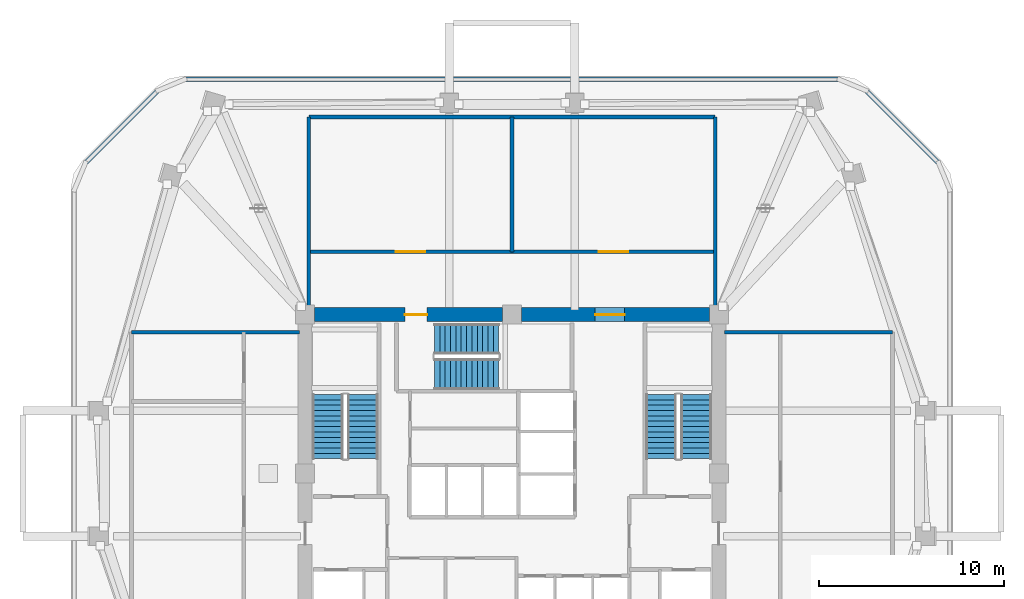
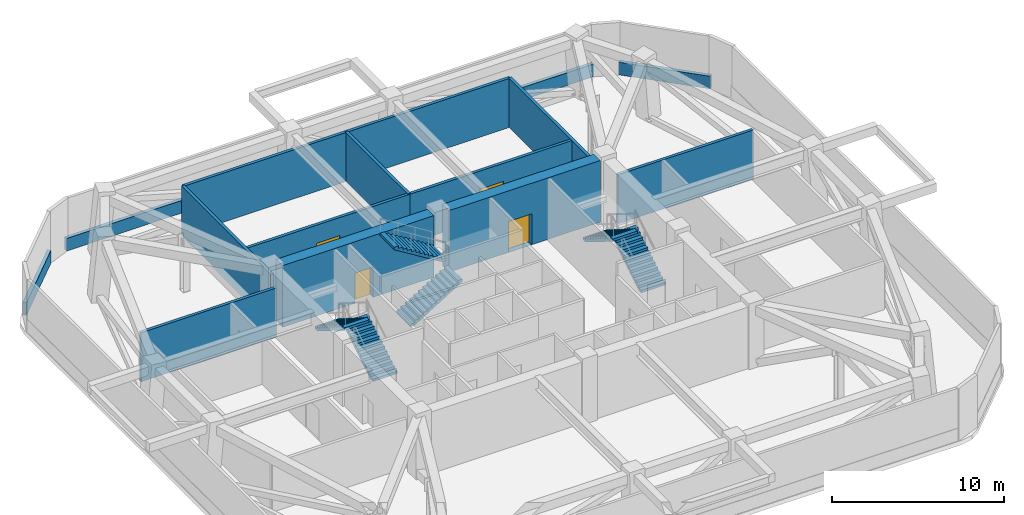
# One storey, part 5 of 8: 13 walls, 6 stair flights, 4 doors, 4 openings, 3 elements without a shape of their own.
"""IFC4 building model written with IfcOpenShell, lengths in metres."""

from ifc_helpers import new_model, si_unit, derived_unit, direction, frame, frame_2d, origin, place, context, subcontext, project, spatial, polyline, rectangle, outline, extrude, material, layer, layer_set, type_object, element, fill, aggregate, save


model = new_model("IFC4")

# Units and contexts
model_context = context("Model", 3, precision=1e-05, world=origin(), true_north=direction((0.0, 1.0)))
body_context = subcontext(model_context, "Body", "Model", "MODEL_VIEW")
ifc_project = project(units=[si_unit("LENGTHUNIT", "METRE"), si_unit("AREAUNIT", "SQUARE_METRE"), si_unit("VOLUMEUNIT", "CUBIC_METRE"), si_unit("PLANEANGLEUNIT", "RADIAN"), si_unit("MASSUNIT", "GRAM", prefix="KILO"), derived_unit("THERMALTRANSMITTANCEUNIT", [(si_unit("POWERUNIT", "WATT"), 1), (si_unit("LENGTHUNIT", "METRE"), -2), (si_unit("THERMODYNAMICTEMPERATUREUNIT", "KELVIN"), -1)])], contexts=[model_context])

# Site, building, storey
site_placement = place(None, origin())
site = spatial("IfcSite", under=ifc_project, at=site_placement, CompositionType="ELEMENT")
building_placement = place(site_placement, origin())
building = spatial("IfcBuilding", under=site, at=building_placement, Name="Koralith Skygarden Medical Center", CompositionType="ELEMENT")
storey_placement = place(building_placement, frame((0.0, 0.0, 124.3798828125)))
storey = spatial("IfcBuildingStorey", under=building, at=storey_placement, Name="L32", CompositionType="ELEMENT", Elevation=124.3798828125)

# Walls
ifc_material_1 = material(Name="Gypsum Board Partition")
ifc_layer_1 = layer(ifc_material_1, 0.199951171875)
ifc_layer_set_1 = layer_set([ifc_layer_1], Name="Gypsum Board Partition")
wall_type_1 = type_object("IfcWallType", Name="Fire Shaft Wall 200", PredefinedType="SOLIDWALL", material=ifc_layer_set_1)
for number, where, z_axis, x_axis, name in (
    (1, (26.0, 34.800048828125, 0.0), (0.0, 0.0, 1.0), (0.0, 1.0, 0.0), "L32 Fire Shaft Wall 200 W-PL-L32-NC-W"),
    (2, (48.0, 34.800048828125, 0.0), (0.0, 0.0, 1.0), (0.0, 1.0, 0.0), "L32 Fire Shaft Wall 200 W-PL-L32-NC-E"),
):
    element("IfcWall", number, at=place(storey_placement, frame(where, z_axis=z_axis, x_axis=x_axis)), inside=storey, type_object=wall_type_1, Name=name, PredefinedType="SOLIDWALL", context=body_context, shape_type="SweptSolid", body=[
        extrude(rectangle(XDim=10.39990234375, YDim=0.199951171875, at=frame_2d((5.199951171875, 0.0))), origin(), (0.0, 0.0, 1.0), 3.490234375),
    ])
wall_1_placement = place(storey_placement, frame((26.0, 45.199951171875, 0.0), z_axis=(0.0, 0.0, 1.0), x_axis=(1.0, 0.0, 0.0)))
element("IfcWall", 3, at=wall_1_placement, inside=storey, type_object=wall_type_1, Name="L32 Fire Shaft Wall 200 W-PL-L32-NP-N", PredefinedType="SOLIDWALL", context=body_context, shape_type="SweptSolid", body=[
    extrude(rectangle(XDim=22.0, YDim=0.199951171875, at=frame_2d((11.0, 0.0))), origin(), (0.0, 0.0, 1.0), 3.490234375),
])
wall_2_placement = place(storey_placement, frame((37.0, 37.89990234375, 0.0), z_axis=(0.0, 0.0, 1.0), x_axis=(0.0, 1.0, 0.0)))
element("IfcWall", 4, at=wall_2_placement, inside=storey, type_object=wall_type_1, Name="L32 Fire Shaft Wall 200 W-PL-L32-NP-M", PredefinedType="SOLIDWALL", context=body_context, shape_type="SweptSolid", body=[
    extrude(rectangle(XDim=7.300048828125, YDim=0.199951171875, at=frame_2d((3.64990234375, 0.0))), origin(), (0.0, 0.0, 1.0), 3.490234375),
])

# Wall, opening, door
wall_3_placement = place(storey_placement, frame((26.0, 37.89990234375, 0.0), z_axis=(0.0, 0.0, 1.0), x_axis=(1.0, 0.0, 0.0)))
wall_3 = element("IfcWall", 5, at=wall_3_placement, inside=storey, type_object=wall_type_1, Name="L32 Fire Shaft Wall 200 W-PL-L32-NC-N1", PredefinedType="SOLIDWALL", context=body_context, shape_type="SweptSolid", body=[
    extrude(rectangle(XDim=11.0, YDim=0.199951171875, at=frame_2d((5.5, 0.0))), origin(), (0.0, 0.0, 1.0), 3.490234375),
])
opening_1_placement = place(wall_3_placement, frame((4.699951171875, 0.0, 0.0)))
opening_1 = element("IfcOpeningElement", 6, at=opening_1_placement, cuts=wall_3, Name="Opening D-DBL", PredefinedType="OPENING", context=body_context, shape_type="SweptSolid", body=[
    extrude(rectangle(XDim=1.60009765625, YDim=2.199951171875, at=frame_2d((0.800048828125, 1.10009765625))), frame((0.0, 0.10986328125, 0.0), z_axis=(0.0, -1.0, 0.0), x_axis=(1.0, 0.0, 0.0)), (0.0, 0.0, 1.0), 0.219970703125),
])
ifc_material_2 = material(Name="Aluminium 6063-T6", Category="aluminium")
door_type_1 = type_object("IfcDoorType", Name="Double Clinical Suite Door D-DBL 1600", OperationType="NOTDEFINED", PredefinedType="DOOR", material=ifc_material_2)
door_1_placement = place(opening_1_placement, origin())
door_1 = element("IfcDoor", 7, at=door_1_placement, inside=storey, type_object=door_type_1, Name="L32 Central Chiller and Heat Rejection Plant Room Fire Door", OperationType="DOUBLE_DOOR_SINGLE_SWING", OverallHeight=2.199951171875, OverallWidth=1.60009765625, PredefinedType="DOOR", context=body_context, shape_type="SweptSolid", body=[
    extrude(rectangle(XDim=1.60009765625, YDim=2.199951171875, at=frame_2d((0.800048828125, 1.10009765625))), frame((0.0, 0.02490234375, 0.0), z_axis=(0.0, -1.0, 0.0), x_axis=(1.0, 0.0, 0.0)), (0.0, 0.0, 1.0), 0.050048828125),
])
fill(opening_1, door_1)

wall_4_placement = place(storey_placement, frame((37.0, 37.89990234375, 0.0), z_axis=(0.0, 0.0, 1.0), x_axis=(1.0, 0.0, 0.0)))
wall_4 = element("IfcWall", 8, at=wall_4_placement, inside=storey, type_object=wall_type_1, Name="L32 Fire Shaft Wall 200 W-PL-L32-NC-N2", PredefinedType="SOLIDWALL", context=body_context, shape_type="SweptSolid", body=[
    extrude(rectangle(XDim=11.0, YDim=0.199951171875, at=frame_2d((5.5, 0.0))), origin(), (0.0, 0.0, 1.0), 3.490234375),
])
opening_2_placement = place(wall_4_placement, frame((4.699951171875, 0.0, 0.0)))
opening_2 = element("IfcOpeningElement", 9, at=opening_2_placement, cuts=wall_4, Name="Opening D-DBL", PredefinedType="OPENING", context=body_context, shape_type="SweptSolid", body=[
    extrude(rectangle(XDim=1.60009765625, YDim=2.199951171875, at=frame_2d((0.800048828125, 1.10009765625))), frame((0.0, 0.10986328125, 0.0), z_axis=(0.0, -1.0, 0.0), x_axis=(1.0, 0.0, 0.0)), (0.0, 0.0, 1.0), 0.219970703125),
])
door_2_placement = place(opening_2_placement, origin())
door_2 = element("IfcDoor", 10, at=door_2_placement, inside=storey, type_object=door_type_1, Name="L32 Clinical AHU and Essential Switchgear Plant Room Fire Door", OperationType="DOUBLE_DOOR_SINGLE_SWING", OverallHeight=2.199951171875, OverallWidth=1.60009765625, PredefinedType="DOOR", context=body_context, shape_type="SweptSolid", body=[
    extrude(rectangle(XDim=1.60009765625, YDim=2.199951171875, at=frame_2d((0.800048828125, 1.10009765625))), frame((0.0, 0.02490234375, 0.0), z_axis=(0.0, -1.0, 0.0), x_axis=(1.0, 0.0, 0.0)), (0.0, 0.0, 1.0), 0.050048828125),
])
fill(opening_2, door_2)

# Walls
for number, where, z_axis, x_axis, name in (
    (11, (16.39990234375, 33.550048828125, 0.0), (0.0, 0.0, 1.0), (1.0, 0.0, 0.0), "L32 Fire Shaft Wall 200 W-PL-L32-WC-N"),
    (12, (48.5, 33.550048828125, 0.0), (0.0, 0.0, 1.0), (1.0, 0.0, 0.0), "L32 Fire Shaft Wall 200 W-PL-L32-EC-N"),
):
    element("IfcWall", number, at=place(storey_placement, frame(where, z_axis=z_axis, x_axis=x_axis)), inside=storey, type_object=wall_type_1, Name=name, PredefinedType="SOLIDWALL", context=body_context, shape_type="SweptSolid", body=[
        extrude(rectangle(XDim=9.10009765625, YDim=0.199951171875, at=frame_2d((4.550048828125, 0.0))), origin(), (0.0, 0.0, 1.0), 3.490234375),
    ])
ifc_material_3 = material(Name="Warm Oolitic Limestone Cladding", Category="masonry")
ifc_layer_2 = layer(ifc_material_3, 0.239990234375)
ifc_layer_set_2 = layer_set([ifc_layer_2], Name="Warm Oolitic Limestone Cladding")
wall_type_2 = type_object("IfcWallType", Name="Limestone Spandrel Sill Backup Wall 240", PredefinedType="SOLIDWALL", material=ifc_layer_set_2)
wall_5_placement = place(storey_placement, frame((60.095947265625, 42.7109375, 0.0), z_axis=(0.0, 0.0, 1.0), x_axis=(-0.707084777957, 0.707128783731, 0.0)))
element("IfcWall", 13, at=wall_5_placement, inside=storey, type_object=wall_type_2, Name="L32 Plant Sill Backup Wall NE", PredefinedType="SOLIDWALL", context=body_context, shape_type="SweptSolid", body=[
    extrude(rectangle(XDim=5.5478515625, YDim=0.239990234375, at=frame_2d((2.77392578125, 0.0))), origin(), (0.0, 0.0, 1.0), 0.900146484375),
])
wall_6_placement = place(storey_placement, frame((54.721923828125, 47.235107421875, 0.0), z_axis=(0.0, 0.0, 1.0), x_axis=(-1.0, 0.0, 0.0)))
element("IfcWall", 14, at=wall_6_placement, inside=storey, type_object=wall_type_2, Name="L32 Plant Sill Backup Wall N", PredefinedType="SOLIDWALL", context=body_context, shape_type="SweptSolid", body=[
    extrude(rectangle(XDim=35.44384765625, YDim=0.239990234375, at=frame_2d((17.721923828125, 0.0))), origin(), (0.0, 0.0, 1.0), 0.900146484375),
])
wall_7_placement = place(storey_placement, frame((17.826904296875, 46.634033203125, 0.0), z_axis=(0.0, 0.0, 1.0), x_axis=(-0.707084777957, -0.707128783731, 0.0)))
element("IfcWall", 15, at=wall_7_placement, inside=storey, type_object=wall_type_2, Name="L32 Plant Sill Backup Wall NW", PredefinedType="SOLIDWALL", context=body_context, shape_type="SweptSolid", body=[
    extrude(rectangle(XDim=5.5478515625, YDim=0.239990234375, at=frame_2d((2.77392578125, 0.0))), origin(), (0.0, 0.0, 1.0), 0.900146484375),
])

# Wall, opening, door
ifc_material_4 = material(Name="Concrete C70/85", Category="concrete")
ifc_layer_3 = layer(ifc_material_4, 0.75)
ifc_layer_set_3 = layer_set([ifc_layer_3], Name="Concrete C70/85")
wall_type_3 = type_object("IfcWallType", Name="Mid Core Shear Wall 750", PredefinedType="SHEAR", material=ifc_layer_set_3)
wall_8_placement = place(storey_placement, frame((47.695068359375, 34.5, 0.0), z_axis=(0.0, 0.0, 1.0), x_axis=(-1.0, 0.0, 0.0)))
wall_8 = element("IfcWall", 16, at=wall_8_placement, inside=storey, type_object=wall_type_3, Name="L32 Core Shear Wall Segment 5", PredefinedType="SHEAR", context=body_context, shape_type="SweptSolid", body=[
    extrude(rectangle(XDim=10.190185546875, YDim=0.75, at=frame_2d((5.09521484375, 0.0))), origin(), (0.0, 0.0, 1.0), 4.380126953125),
])
opening_3_placement = place(wall_8_placement, frame((4.594970703125, 0.0, 0.0)))
opening_3 = element("IfcOpeningElement", 17, at=opening_3_placement, cuts=wall_8, Name="Opening D-DBL", PredefinedType="OPENING", context=body_context, shape_type="SweptSolid", body=[
    extrude(rectangle(XDim=1.60009765625, YDim=2.199951171875, at=frame_2d((0.800048828125, 1.10009765625))), frame((0.0, 0.385009765625, 0.0), z_axis=(0.0, -1.0, 0.0), x_axis=(1.0, 0.0, 0.0)), (0.0, 0.0, 1.0), 0.77001953125),
])
door_3_placement = place(opening_3_placement, frame((1.60009765625, 0.0, 0.0), z_axis=(0.0, 0.0, 1.0), x_axis=(-1.0, 0.0, 0.0)))
door_3 = element("IfcDoor", 18, at=door_3_placement, inside=storey, type_object=door_type_1, Name="L32 North-East Corridor to Elevator Lobby Door", OperationType="DOUBLE_DOOR_SINGLE_SWING", OverallHeight=2.199951171875, OverallWidth=1.60009765625, PredefinedType="DOOR", context=body_context, shape_type="SweptSolid", body=[
    extrude(rectangle(XDim=1.60009765625, YDim=2.199951171875, at=frame_2d((0.800048828125, 1.10009765625))), frame((0.0, 0.02490234375, 0.0), z_axis=(0.0, -1.0, 0.0), x_axis=(1.0, 0.0, 0.0)), (0.0, 0.0, 1.0), 0.050048828125),
])
fill(opening_3, door_3)

wall_9_placement = place(storey_placement, frame((36.4951171875, 34.5, 0.0), z_axis=(0.0, 0.0, 1.0), x_axis=(-1.0, 0.0, 0.0)))
wall_9 = element("IfcWall", 19, at=wall_9_placement, inside=storey, type_object=wall_type_3, Name="L32 Core Shear Wall Segment 6", PredefinedType="SHEAR", context=body_context, shape_type="SweptSolid", body=[
    extrude(rectangle(XDim=10.190185546875, YDim=0.75, at=frame_2d((5.09521484375, 0.0))), origin(), (0.0, 0.0, 1.0), 4.380126953125),
])
opening_4_placement = place(wall_9_placement, frame((4.094970703125, 0.0, 0.0)))
opening_4 = element("IfcOpeningElement", 20, at=opening_4_placement, cuts=wall_9, Name="Opening D-ST60", PredefinedType="OPENING", context=body_context, shape_type="SweptSolid", body=[
    extrude(rectangle(XDim=1.199951171875, YDim=2.14990234375, at=frame_2d((0.60009765625, 1.074951171875))), frame((0.0, 0.385009765625, 0.0), z_axis=(0.0, -1.0, 0.0), x_axis=(1.0, 0.0, 0.0)), (0.0, 0.0, 1.0), 0.77001953125),
])
ifc_material_5 = material(Name="Steel ASTM A500 Grade C", Category="steel")
door_type_2 = type_object("IfcDoorType", Name="Smokeproof Stair Fire Door FD60S 1200", OperationType="NOTDEFINED", PredefinedType="DOOR", material=ifc_material_5)
door_4_placement = place(opening_4_placement, frame((1.199951171875, 0.0, 0.0), z_axis=(0.0, 0.0, 1.0), x_axis=(-1.0, 0.0, 0.0)))
door_4 = element("IfcDoor", 21, at=door_4_placement, inside=storey, type_object=door_type_2, Name="L32 Exit Stair ST3 Fire Door", OperationType="SINGLE_SWING_LEFT", OverallHeight=2.14990234375, OverallWidth=1.199951171875, PredefinedType="DOOR", context=body_context, shape_type="SweptSolid", body=[
    extrude(rectangle(XDim=1.199951171875, YDim=2.14990234375, at=frame_2d((0.60009765625, 1.074951171875))), frame((0.0, 0.02490234375, 0.0), z_axis=(0.0, -1.0, 0.0), x_axis=(1.0, 0.0, 0.0)), (0.0, 0.0, 1.0), 0.050048828125),
])
fill(opening_4, door_4)

# Stair, stair flights
ifc_material_6 = material(Name="Concrete C45/55", Category="concrete")
stair_type = type_object("IfcStairType", Name="Core Exit Dogleg Concrete Stair", PredefinedType="HALF_TURN_STAIR", material=ifc_material_6)
stair_1_placement = place(storey_placement, origin())
stair_1 = element("IfcStair", 22, at=stair_1_placement, inside=storey, type_object=stair_type, Name="L32 Smokeproof Exit Stair ST1", PredefinedType="HALF_TURN_STAIR")
stair_flight_type = type_object("IfcStairFlightType", Name="Core Exit Concrete Stair Flight 1650", PredefinedType="STRAIGHT", material=ifc_material_6)
stair_flight_1_placement = place(storey_placement, frame((28.925048828125, 26.699951171875, 0.0), z_axis=(0.0, 0.0, 1.0), x_axis=(0.0, 1.0, 0.0)))
stair_flight_1 = element("IfcStairFlight", 23, at=stair_flight_1_placement, type_object=stair_flight_type, Name="ST1 flight 1", NumberOfRisers=13, NumberOfTreads=12, PredefinedType="STRAIGHT", RiserHeight=0.18, TreadLength=0.29, context=body_context, shape_type="SweptSolid", body=[
    extrude(outline(polyline([(0.0, 0.0), (0.0, 0.179931640625), (0.2900390625, 0.179931640625), (0.2900390625, 0.360107421875), (0.580078125, 0.360107421875), (0.580078125, 0.5400390625), (0.8701171875, 0.5400390625), (0.8701171875, 0.719970703125), (1.159912109375, 0.719970703125), (1.159912109375, 0.89990234375), (1.449951171875, 0.89990234375), (1.449951171875, 1.080078125), (1.739990234375, 1.080078125), (1.739990234375, 1.260009765625), (2.030029296875, 1.260009765625), (2.030029296875, 1.43994140625), (2.320068359375, 1.43994140625), (2.320068359375, 1.6201171875), (2.610107421875, 1.6201171875), (2.610107421875, 1.800048828125), (2.89990234375, 1.800048828125), (2.89990234375, 1.97998046875), (3.18994140625, 1.97998046875), (3.18994140625, 2.159912109375), (3.47998046875, 2.159912109375), (3.47998046875, 2.340087890625), (3.47998046875, 1.983642578125), (0.2841796875, 0.0), (0.0, 0.0)])), frame((0.0, 0.824951171875, 0.0), z_axis=(0.0, -1.0, 0.0), x_axis=(1.0, 0.0, 0.0)), (0.0, 0.0, 1.0), 1.64990234375),
])
stair_flight_2_placement = place(storey_placement, frame((27.02490234375, 30.179931640625, 2.340087890625), z_axis=(0.0, 0.0, 1.0), x_axis=(0.0, -1.0, 0.0)))
stair_flight_2 = element("IfcStairFlight", 24, at=stair_flight_2_placement, type_object=stair_flight_type, Name="ST1 flight 2", NumberOfRisers=13, NumberOfTreads=12, PredefinedType="STRAIGHT", RiserHeight=0.18, TreadLength=0.29, context=body_context, shape_type="SweptSolid", body=[
    extrude(outline(polyline([(0.0, 0.0), (0.0, 0.179931640625), (0.2900390625, 0.179931640625), (0.2900390625, 0.360107421875), (0.580078125, 0.360107421875), (0.580078125, 0.5400390625), (0.8701171875, 0.5400390625), (0.8701171875, 0.719970703125), (1.159912109375, 0.719970703125), (1.159912109375, 0.89990234375), (1.449951171875, 0.89990234375), (1.449951171875, 1.080078125), (1.739990234375, 1.080078125), (1.739990234375, 1.260009765625), (2.030029296875, 1.260009765625), (2.030029296875, 1.43994140625), (2.320068359375, 1.43994140625), (2.320068359375, 1.6201171875), (2.610107421875, 1.6201171875), (2.610107421875, 1.800048828125), (2.89990234375, 1.800048828125), (2.89990234375, 1.97998046875), (3.18994140625, 1.97998046875), (3.18994140625, 2.159912109375), (3.47998046875, 2.159912109375), (3.47998046875, 2.340087890625), (3.47998046875, 1.983642578125), (0.2841796875, 0.0), (0.0, 0.0)])), frame((0.0, 0.824951171875, 0.0), z_axis=(0.0, -1.0, 0.0), x_axis=(1.0, 0.0, 0.0)), (0.0, 0.0, 1.0), 1.64990234375),
])
aggregate(stair_1, [stair_flight_1, stair_flight_2])

stair_2_placement = place(storey_placement, origin())
stair_2 = element("IfcStair", 25, at=stair_2_placement, inside=storey, type_object=stair_type, Name="L32 Smokeproof Exit Stair ST2", PredefinedType="HALF_TURN_STAIR")
stair_flight_3_placement = place(storey_placement, frame((46.97509765625, 26.699951171875, 0.0), z_axis=(0.0, 0.0, 1.0), x_axis=(0.0, 1.0, 0.0)))
stair_flight_3 = element("IfcStairFlight", 26, at=stair_flight_3_placement, type_object=stair_flight_type, Name="ST2 flight 1", NumberOfRisers=13, NumberOfTreads=12, PredefinedType="STRAIGHT", RiserHeight=0.18, TreadLength=0.29, context=body_context, shape_type="SweptSolid", body=[
    extrude(outline(polyline([(0.0, 0.0), (0.0, 0.179931640625), (0.2900390625, 0.179931640625), (0.2900390625, 0.360107421875), (0.580078125, 0.360107421875), (0.580078125, 0.5400390625), (0.8701171875, 0.5400390625), (0.8701171875, 0.719970703125), (1.159912109375, 0.719970703125), (1.159912109375, 0.89990234375), (1.449951171875, 0.89990234375), (1.449951171875, 1.080078125), (1.739990234375, 1.080078125), (1.739990234375, 1.260009765625), (2.030029296875, 1.260009765625), (2.030029296875, 1.43994140625), (2.320068359375, 1.43994140625), (2.320068359375, 1.6201171875), (2.610107421875, 1.6201171875), (2.610107421875, 1.800048828125), (2.89990234375, 1.800048828125), (2.89990234375, 1.97998046875), (3.18994140625, 1.97998046875), (3.18994140625, 2.159912109375), (3.47998046875, 2.159912109375), (3.47998046875, 2.340087890625), (3.47998046875, 1.983642578125), (0.2841796875, 0.0), (0.0, 0.0)])), frame((0.0, 0.824951171875, 0.0), z_axis=(0.0, -1.0, 0.0), x_axis=(1.0, 0.0, 0.0)), (0.0, 0.0, 1.0), 1.64990234375),
])
stair_flight_4_placement = place(storey_placement, frame((45.074951171875, 30.179931640625, 2.340087890625), z_axis=(0.0, 0.0, 1.0), x_axis=(0.0, -1.0, 0.0)))
stair_flight_4 = element("IfcStairFlight", 27, at=stair_flight_4_placement, type_object=stair_flight_type, Name="ST2 flight 2", NumberOfRisers=13, NumberOfTreads=12, PredefinedType="STRAIGHT", RiserHeight=0.18, TreadLength=0.29, context=body_context, shape_type="SweptSolid", body=[
    extrude(outline(polyline([(0.0, 0.0), (0.0, 0.179931640625), (0.2900390625, 0.179931640625), (0.2900390625, 0.360107421875), (0.580078125, 0.360107421875), (0.580078125, 0.5400390625), (0.8701171875, 0.5400390625), (0.8701171875, 0.719970703125), (1.159912109375, 0.719970703125), (1.159912109375, 0.89990234375), (1.449951171875, 0.89990234375), (1.449951171875, 1.080078125), (1.739990234375, 1.080078125), (1.739990234375, 1.260009765625), (2.030029296875, 1.260009765625), (2.030029296875, 1.43994140625), (2.320068359375, 1.43994140625), (2.320068359375, 1.6201171875), (2.610107421875, 1.6201171875), (2.610107421875, 1.800048828125), (2.89990234375, 1.800048828125), (2.89990234375, 1.97998046875), (3.18994140625, 1.97998046875), (3.18994140625, 2.159912109375), (3.47998046875, 2.159912109375), (3.47998046875, 2.340087890625), (3.47998046875, 1.983642578125), (0.2841796875, 0.0), (0.0, 0.0)])), frame((0.0, 0.824951171875, 0.0), z_axis=(0.0, -1.0, 0.0), x_axis=(1.0, 0.0, 0.0)), (0.0, 0.0, 1.0), 1.64990234375),
])
aggregate(stair_2, [stair_flight_3, stair_flight_4])

stair_3_placement = place(storey_placement, origin())
stair_3 = element("IfcStair", 28, at=stair_3_placement, inside=storey, type_object=stair_type, Name="L32 Smokeproof Exit Stair ST3", PredefinedType="HALF_TURN_STAIR")
stair_flight_5_placement = place(storey_placement, frame((32.800048828125, 31.27490234375, 0.0), z_axis=(0.0, 0.0, 1.0), x_axis=(1.0, 0.0, 0.0)))
stair_flight_5 = element("IfcStairFlight", 29, at=stair_flight_5_placement, type_object=stair_flight_type, Name="ST3 flight 1", NumberOfRisers=13, NumberOfTreads=12, PredefinedType="STRAIGHT", RiserHeight=0.18, TreadLength=0.29, context=body_context, shape_type="SweptSolid", body=[
    extrude(outline(polyline([(0.0, 0.0), (0.0, 0.179931640625), (0.2900390625, 0.179931640625), (0.2900390625, 0.360107421875), (0.580078125, 0.360107421875), (0.580078125, 0.5400390625), (0.8701171875, 0.5400390625), (0.8701171875, 0.719970703125), (1.159912109375, 0.719970703125), (1.159912109375, 0.89990234375), (1.449951171875, 0.89990234375), (1.449951171875, 1.080078125), (1.739990234375, 1.080078125), (1.739990234375, 1.260009765625), (2.030029296875, 1.260009765625), (2.030029296875, 1.43994140625), (2.320068359375, 1.43994140625), (2.320068359375, 1.6201171875), (2.610107421875, 1.6201171875), (2.610107421875, 1.800048828125), (2.89990234375, 1.800048828125), (2.89990234375, 1.97998046875), (3.18994140625, 1.97998046875), (3.18994140625, 2.159912109375), (3.47998046875, 2.159912109375), (3.47998046875, 2.340087890625), (3.47998046875, 1.983642578125), (0.2841796875, 0.0), (0.0, 0.0)])), frame((0.0, 0.824951171875, 0.0), z_axis=(0.0, -1.0, 0.0), x_axis=(1.0, 0.0, 0.0)), (0.0, 0.0, 1.0), 1.64990234375),
])
stair_flight_6_placement = place(storey_placement, frame((36.280029296875, 33.175048828125, 2.340087890625), z_axis=(0.0, 0.0, 1.0), x_axis=(-1.0, 0.0, 0.0)))
stair_flight_6 = element("IfcStairFlight", 30, at=stair_flight_6_placement, type_object=stair_flight_type, Name="ST3 flight 2", NumberOfRisers=13, NumberOfTreads=12, PredefinedType="STRAIGHT", RiserHeight=0.18, TreadLength=0.29, context=body_context, shape_type="SweptSolid", body=[
    extrude(outline(polyline([(0.0, 0.0), (0.0, 0.179931640625), (0.2900390625, 0.179931640625), (0.2900390625, 0.360107421875), (0.580078125, 0.360107421875), (0.580078125, 0.5400390625), (0.8701171875, 0.5400390625), (0.8701171875, 0.719970703125), (1.159912109375, 0.719970703125), (1.159912109375, 0.89990234375), (1.449951171875, 0.89990234375), (1.449951171875, 1.080078125), (1.739990234375, 1.080078125), (1.739990234375, 1.260009765625), (2.030029296875, 1.260009765625), (2.030029296875, 1.43994140625), (2.320068359375, 1.43994140625), (2.320068359375, 1.6201171875), (2.610107421875, 1.6201171875), (2.610107421875, 1.800048828125), (2.89990234375, 1.800048828125), (2.89990234375, 1.97998046875), (3.18994140625, 1.97998046875), (3.18994140625, 2.159912109375), (3.47998046875, 2.159912109375), (3.47998046875, 2.340087890625), (3.47998046875, 1.983642578125), (0.2841796875, 0.0), (0.0, 0.0)])), frame((0.0, 0.824951171875, 0.0), z_axis=(0.0, -1.0, 0.0), x_axis=(1.0, 0.0, 0.0)), (0.0, 0.0, 1.0), 1.64990234375),
])
aggregate(stair_3, [stair_flight_5, stair_flight_6])

save(model, "model.ifc")
